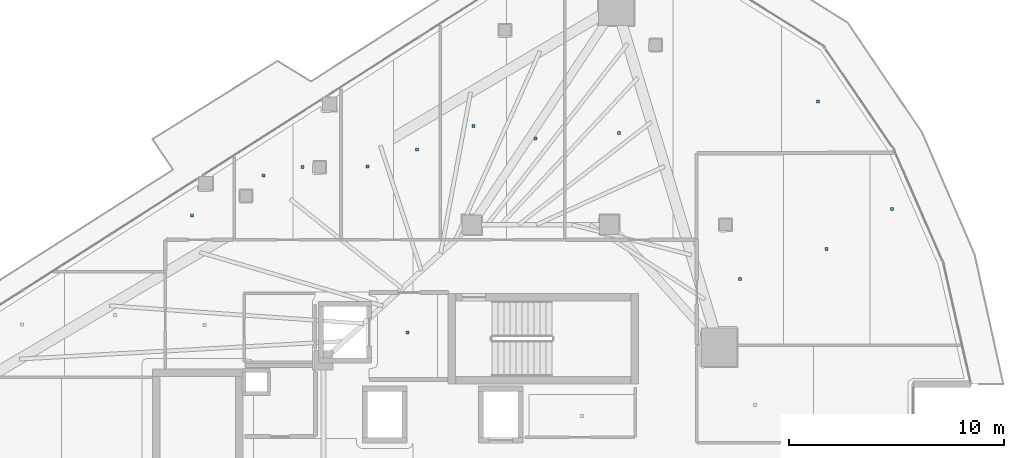
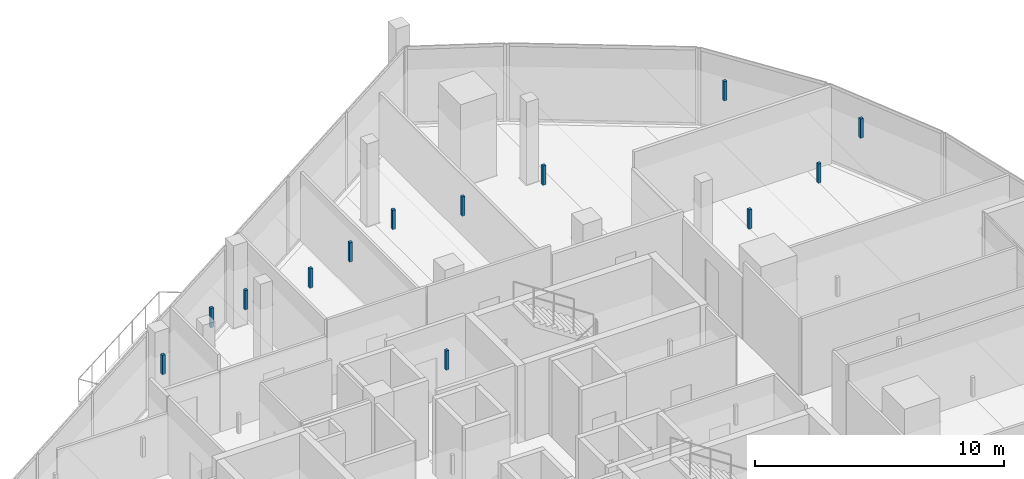
# One storey, part 29 of 36: 13 discrete accessories.
"""IFC4 building model written with IfcOpenShell, lengths in metres."""

from ifc_helpers import new_model, si_unit, direction, frame, origin, origin_2d, place, context, subcontext, project, spatial, rectangle, extrude, material, type_object, element, save


model = new_model("IFC4")

# Units and contexts
model_context = context("Model", 3, precision=1e-05, world=origin(), true_north=direction((0.0, 1.0)))
body_context = subcontext(model_context, "Body", "Model", "MODEL_VIEW")
ifc_project = project(units=[si_unit("LENGTHUNIT", "METRE"), si_unit("AREAUNIT", "SQUARE_METRE"), si_unit("VOLUMEUNIT", "CUBIC_METRE"), si_unit("PLANEANGLEUNIT", "RADIAN"), si_unit("MASSUNIT", "GRAM", prefix="KILO")], contexts=[model_context])

# Site, building, storey
site_placement = place(None, origin())
site = spatial("IfcSite", under=ifc_project, at=site_placement, CompositionType="ELEMENT")
building_placement = place(site_placement, origin())
building = spatial("IfcBuilding", under=site, at=building_placement, Name="Qorvath Tower", CompositionType="ELEMENT")
storey_placement = place(building_placement, frame((0.0, 0.0, 241.5)))
storey = spatial("IfcBuildingStorey", under=building, at=storey_placement, Name="L56", CompositionType="ELEMENT", Elevation=241.5)

# Discrete accessories
ifc_material = material(Name="Galvanised steel bracket", Category="steel")
discrete_accessory_type = type_object("IfcDiscreteAccessoryType", Name="DA-BRACKET", PredefinedType="BRACKET", material=ifc_material)
for number, where, z_axis, x_axis, name in (
    (1, (-26.590087890625, 6.449951171875, 2.85986328125), (0.0, 0.0, 1.0), (1.0, 0.0, 0.0), "Acoustic Ceiling Suspension Hanger T1-L56-001"),
    (2, (-33.286865234375, 13.7470703125, 2.85986328125), (0.0, 0.0, 1.0), (1.0, 0.0, 0.0), "Acoustic Ceiling Suspension Hanger T1-L56-012"),
    (3, (-31.466064453125, 14.1455078125, 2.85986328125), (0.0, 0.0, 1.0), (1.0, 0.0, 0.0), "Acoustic Ceiling Suspension Hanger T1-L56-013"),
    (4, (-28.45556640625, 14.162109375, 2.85986328125), (0.0, 0.0, 1.0), (1.0, 0.0, 0.0), "Acoustic Ceiling Suspension Hanger T1-L56-014"),
    (5, (-26.154296875, 14.94091796875, 2.85986328125), (0.0, 0.0, 1.0), (1.0, 0.0, 0.0), "Acoustic Ceiling Suspension Hanger T1-L56-015"),
    (6, (-23.5234375, 16.05126953125, 2.85986328125), (0.0, 0.0, 1.0), (1.0, 0.0, 0.0), "Acoustic Ceiling Suspension Hanger T1-L56-016"),
    (7, (-20.638671875, 15.46630859375, 2.85986328125), (0.0, 0.0, 1.0), (1.0, 0.0, 0.0), "Acoustic Ceiling Suspension Hanger T1-L56-017"),
    (8, (-16.7490234375, 15.712646484375, 2.85986328125), (0.0, 0.0, 1.0), (1.0, 0.0, 0.0), "Acoustic Ceiling Suspension Hanger T1-L56-018"),
    (9, (-7.48779296875, 17.191650390625, 2.85986328125), (0.0, 0.0, 1.0), (1.0, 0.0, 0.0), "Acoustic Ceiling Suspension Hanger T1-L56-020"),
    (10, (-11.123291015625, 8.91650390625, 2.85986328125), (0.0, 0.0, 1.0), (1.0, 0.0, 0.0), "Acoustic Ceiling Suspension Hanger T1-L56-035"),
    (11, (-7.095458984375, 10.315673828125, 2.85986328125), (0.0, 0.0, 1.0), (1.0, 0.0, 0.0), "Acoustic Ceiling Suspension Hanger T1-L56-036"),
    (12, (-4.058837890625, 12.186767578125, 2.85986328125), (0.0, 0.0, 1.0), (1.0, 0.0, 0.0), "Acoustic Ceiling Suspension Hanger T1-L56-037"),
    (13, (-36.613525390625, 11.87939453125, 2.85986328125), (0.0, 0.0, 1.0), (1.0, 0.0, 0.0), "Acoustic Ceiling Suspension Hanger T1-L56-044"),
):
    element("IfcDiscreteAccessory", number, at=place(storey_placement, frame(where, z_axis=z_axis, x_axis=x_axis)), inside=storey, type_object=discrete_accessory_type, Name=name, PredefinedType="NOTDEFINED", context=body_context, shape_type="SweptSolid", body=[
        extrude(rectangle(XDim=0.139892578125, YDim=0.139892578125, at=origin_2d()), origin(), (0.0, 0.0, 1.0), 0.949951171875),
    ])

save(model, "model.ifc")
